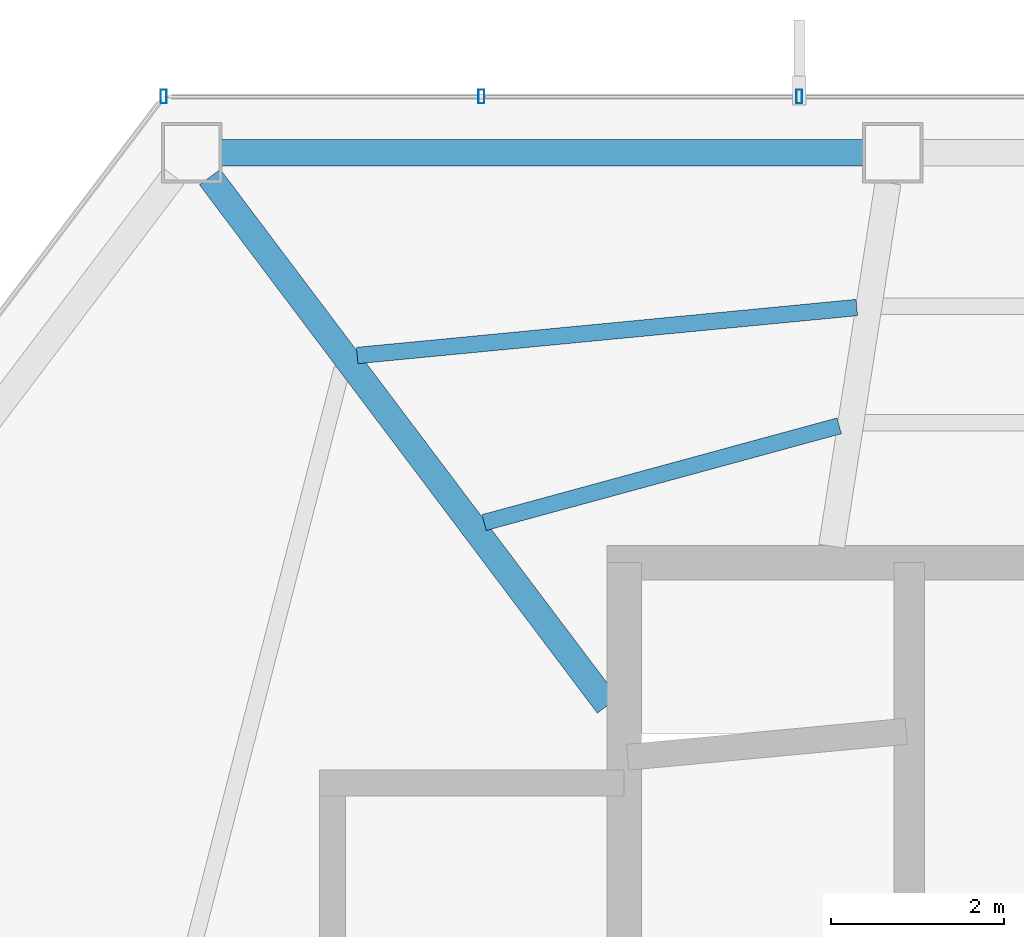
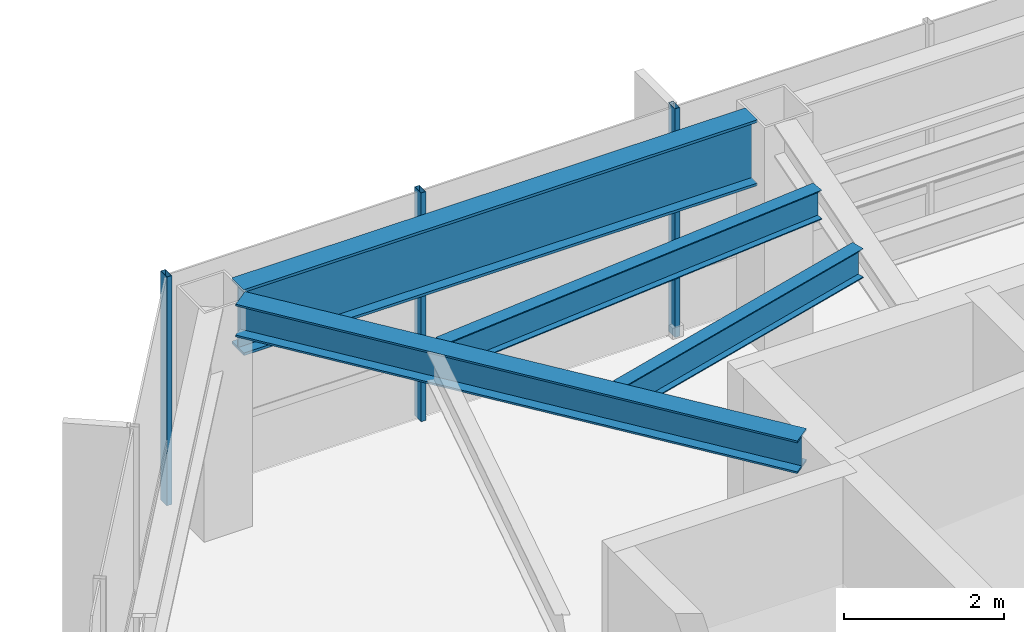
# One storey, part 13 of 28: 4 beams, 3 members, 1 element without a shape of its own.
"""IFC4 building model written with IfcOpenShell, lengths in metres."""

from ifc_helpers import new_model, si_unit, direction, frame, origin, origin_2d, place, context, subcontext, project, spatial, hollow_rectangle, i_section, extrude, material, layer, layer_set, material_profile, profile_set, type_object, element, aggregate, save


model = new_model("IFC4")

# Units and contexts
model_context = context("Model", 3, precision=1e-05, world=origin(), true_north=direction((0.0, 1.0)))
body_context = subcontext(model_context, "Body", "Model", "MODEL_VIEW")
ifc_project = project(units=[si_unit("LENGTHUNIT", "METRE"), si_unit("AREAUNIT", "SQUARE_METRE"), si_unit("VOLUMEUNIT", "CUBIC_METRE"), si_unit("PLANEANGLEUNIT", "RADIAN"), si_unit("MASSUNIT", "GRAM", prefix="KILO")], contexts=[model_context])

# Site, building, storey
site_placement = place(None, origin())
site = spatial("IfcSite", under=ifc_project, at=site_placement, CompositionType="ELEMENT")
building_placement = place(site_placement, origin())
building = spatial("IfcBuilding", under=site, at=building_placement, Name="Zarrinselat Tower", CompositionType="ELEMENT")
storey_placement = place(building_placement, frame((0.0, 0.0, 164.56005859375)))
storey = spatial("IfcBuildingStorey", under=building, at=storey_placement, Name="L40", CompositionType="ELEMENT", Elevation=164.56005859375)

# Beams
ifc_material_1 = material(Name="Steel S355J2", Category="steel")
ifc_material_profile_1 = material_profile(ifc_material_1, i_section(OverallWidth=0.300048828125, OverallDepth=0.5, WebThickness=0.014404296875, FlangeThickness=0.028076171875, at=origin_2d()), Name="HEB 500")
ifc_profile_set_1 = profile_set([ifc_material_profile_1], Name="Steel S355J2")
beam_type_1 = type_object("IfcBeamType", Name="BM-HEB500", PredefinedType="BEAM", material=ifc_profile_set_1)
beam_1_placement = place(storey_placement, frame((23.810302734375, 47.90771484375, 3.25), z_axis=(0.601577493751, -0.798814445921, 0.0), x_axis=(0.798814445921, 0.601577493751, 0.0)))
element("IfcBeam", 1, at=beam_1_placement, inside=storey, type_object=beam_type_1, Name="L40 Radial Primary Girder RG05", PredefinedType="BEAM", context=body_context, shape_type="SweptSolid", body=[
    extrude(i_section(OverallWidth=0.300048828125, OverallDepth=0.5, WebThickness=0.014404296875, FlangeThickness=0.028076171875, at=origin_2d()), origin(), (0.0, 0.0, 1.0), 7.64599609375),
])
ifc_material_2 = material(Name="Steel S460M", Category="steel")
ifc_material_profile_2 = material_profile(ifc_material_2, i_section(OverallWidth=0.302001953125, OverallDepth=1.008056640625, WebThickness=0.02099609375, FlangeThickness=0.0400390625, at=origin_2d()), Name="HEM 1000")
ifc_profile_set_2 = profile_set([ifc_material_profile_2], Name="Steel S460M")
beam_type_2 = type_object("IfcBeamType", Name="BM-HEM1000", PredefinedType="BEAM", material=ifc_profile_set_2)
beam_2_placement = place(storey_placement, frame((23.936279296875, 48.18896484375, 2.995849609375), z_axis=(1.0, 0.0, 0.0), x_axis=(0.0, 1.0, 0.0)))
element("IfcBeam", 2, at=beam_2_placement, inside=storey, type_object=beam_type_2, Name="L40 Perimeter Spandrel Girder SP04", PredefinedType="BEAM", context=body_context, shape_type="SweptSolid", body=[
    extrude(i_section(OverallWidth=0.302001953125, OverallDepth=1.008056640625, WebThickness=0.02099609375, FlangeThickness=0.0400390625, at=origin_2d()), origin(), (0.0, 0.0, 1.0), 7.430419921875),
])
ifc_material_3 = material(Name="Steel S355J2", Category="steel")
ifc_material_profile_3 = material_profile(ifc_material_3, i_section(OverallWidth=0.18994140625, OverallDepth=0.449951171875, WebThickness=0.009521484375, FlangeThickness=0.0146484375, at=origin_2d()), Name="IPE 450")
ifc_profile_set_3 = profile_set([ifc_material_profile_3], Name="Steel S355J2")
beam_type_3 = type_object("IfcBeamType", Name="BM-IPE450", PredefinedType="JOIST", material=ifc_profile_set_3)
beam_3_placement = place(storey_placement, frame((25.513427734375, 45.844482421875, 3.27490234375), z_axis=(0.995417811595, 0.095621024671, 0.0), x_axis=(-0.095621024671, 0.995417811595, 0.0)))
element("IfcBeam", 3, at=beam_3_placement, inside=storey, type_object=beam_type_3, Name="L40 Composite Floor Joist 9-1", PredefinedType="JOIST", context=body_context, shape_type="SweptSolid", body=[
    extrude(i_section(OverallWidth=0.18994140625, OverallDepth=0.449951171875, WebThickness=0.009521484375, FlangeThickness=0.0146484375, at=origin_2d()), origin(), (0.0, 0.0, 1.0), 5.803466796875),
])
beam_4_placement = place(storey_placement, frame((26.981201171875, 43.913330078125, 3.27490234375), z_axis=(0.964845876791, 0.262816350405, 0.0), x_axis=(-0.262816350405, 0.964845876791, 0.0)))
element("IfcBeam", 4, at=beam_4_placement, inside=storey, type_object=beam_type_3, Name="L40 Composite Floor Joist 9-2", PredefinedType="JOIST", context=body_context, shape_type="SweptSolid", body=[
    extrude(i_section(OverallWidth=0.18994140625, OverallDepth=0.449951171875, WebThickness=0.009521484375, FlangeThickness=0.0146484375, at=origin_2d()), origin(), (0.0, 0.0, 1.0), 4.254638671875),
])

# Curtain wall, members
ifc_material_4 = material(Name="Extruded Aluminium Alloy EN AW-6063 T6", Category="aluminium")
ifc_layer = layer(ifc_material_4, 0.175048828125)
ifc_layer_set = layer_set([ifc_layer], Name="Extruded Aluminium Alloy EN AW-6063 T6")
curtain_wall_type = type_object("IfcCurtainWallType", Name="CWS-HTL", PredefinedType="NOTDEFINED", material=ifc_layer_set)
curtain_wall_placement = place(storey_placement, origin())
curtain_wall = element("IfcCurtainWall", 5, at=curtain_wall_placement, inside=storey, type_object=curtain_wall_type, Name="L40 Unitised Curtain Wall CW-L40-E01", PredefinedType="NOTDEFINED")
ifc_material_5 = material(Name="Extruded Aluminium Alloy EN AW-6063 T6", Category="aluminium")
ifc_material_profile_4 = material_profile(ifc_material_5, hollow_rectangle(XDim=0.070068359375, YDim=0.159912109375, WallThickness=0.00390625, at=origin_2d()), Name="RHS 160x70x4")
ifc_profile_set_4 = profile_set([ifc_material_profile_4], Name="Extruded Aluminium Alloy EN AW-6063 T6")
member_type = type_object("IfcMemberType", Name="MEM-CW-MUL2", PredefinedType="MULLION", material=ifc_profile_set_4)
member_1_placement = place(storey_placement, frame((30.62451171875, 48.8388671875, 0.0), z_axis=(0.0, 0.0, 1.0), x_axis=(-1.0, 0.0, 0.0)))
member_1 = element("IfcMember", 6, at=member_1_placement, type_object=member_type, Name="CW-L40-E01 Mullion 9", PredefinedType="MULLION", context=body_context, shape_type="SweptSolid", body=[
    extrude(hollow_rectangle(XDim=0.070068359375, YDim=0.159912109375, WallThickness=0.00390625, at=origin_2d()), origin(), (0.0, 0.0, 1.0), 3.5),
])
member_2_placement = place(storey_placement, frame((26.949951171875, 48.8388671875, 0.0), z_axis=(0.0, 0.0, 1.0), x_axis=(-1.0, 0.0, 0.0)))
member_2 = element("IfcMember", 7, at=member_2_placement, type_object=member_type, Name="CW-L40-E01 Mullion 10", PredefinedType="MULLION", context=body_context, shape_type="SweptSolid", body=[
    extrude(hollow_rectangle(XDim=0.070068359375, YDim=0.159912109375, WallThickness=0.00390625, at=origin_2d()), origin(), (0.0, 0.0, 1.0), 3.5),
])
member_3_placement = place(storey_placement, frame((23.275390625, 48.8388671875, 0.0), z_axis=(0.0, 0.0, 1.0), x_axis=(-1.0, 0.0, 0.0)))
member_3 = element("IfcMember", 8, at=member_3_placement, type_object=member_type, Name="CW-L40-E01 Mullion 11", PredefinedType="MULLION", context=body_context, shape_type="SweptSolid", body=[
    extrude(hollow_rectangle(XDim=0.070068359375, YDim=0.159912109375, WallThickness=0.00390625, at=origin_2d()), origin(), (0.0, 0.0, 1.0), 3.5),
])
aggregate(curtain_wall, [member_1, member_2, member_3])

save(model, "model.ifc")
